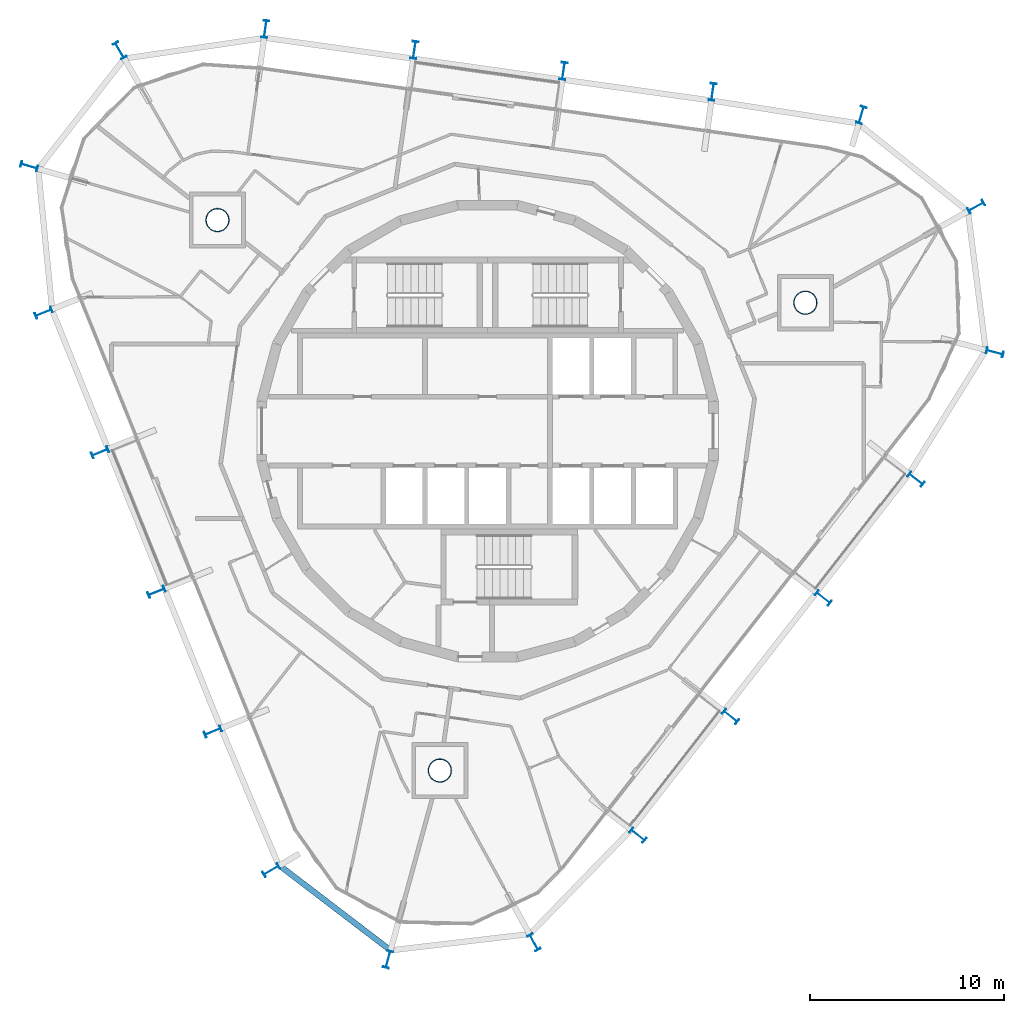
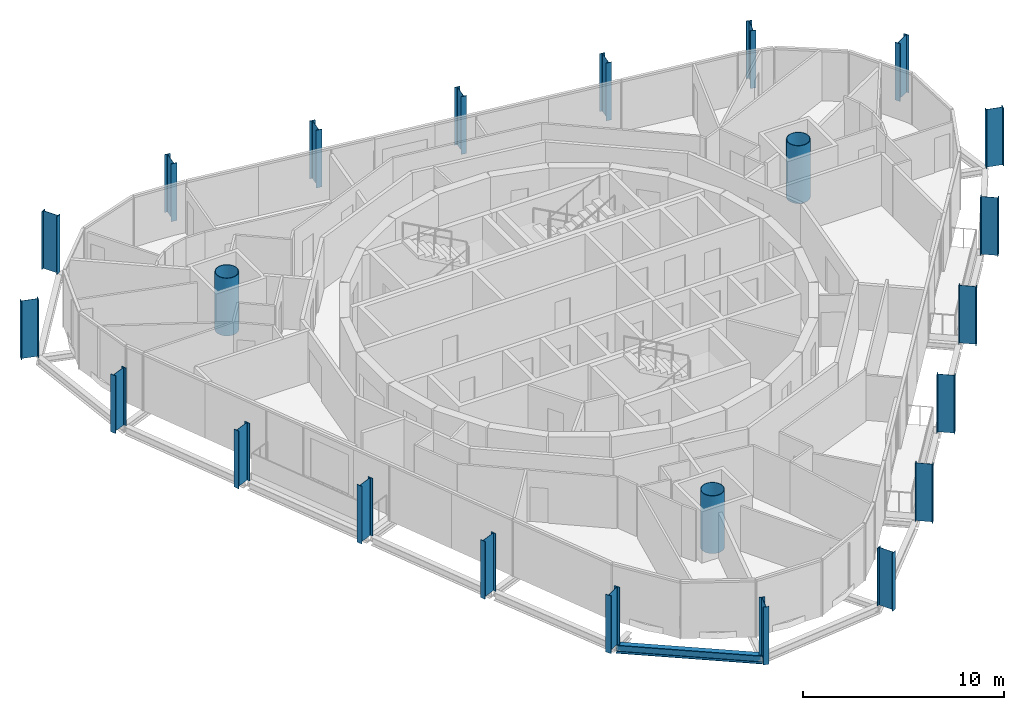
# One storey, part 1 of 15: 23 columns, 1 beam.
"""IFC4 building model written with IfcOpenShell, lengths in metres."""

from ifc_helpers import new_model, si_unit, direction, frame, origin, origin_2d, place, context, subcontext, project, spatial, hollow_circle, i_section, extrude, material, material_profile, profile_set, type_object, element, save


model = new_model("IFC4")

# Units and contexts
model_context = context("Model", 3, precision=1e-05, world=origin(), true_north=direction((0.0, 1.0)))
body_context = subcontext(model_context, "Body", "Model", "MODEL_VIEW")
ifc_project = project(units=[si_unit("LENGTHUNIT", "METRE"), si_unit("AREAUNIT", "SQUARE_METRE"), si_unit("VOLUMEUNIT", "CUBIC_METRE"), si_unit("PLANEANGLEUNIT", "RADIAN"), si_unit("MASSUNIT", "GRAM", prefix="KILO")], contexts=[model_context])

# Site, building, storey
site_placement = place(None, origin())
site = spatial("IfcSite", under=ifc_project, at=site_placement, CompositionType="ELEMENT")
building_placement = place(site_placement, origin())
building = spatial("IfcBuilding", under=site, at=building_placement, Name="Spindle Arch Residences", CompositionType="ELEMENT")
storey_placement = place(building_placement, frame((0.0, 0.0, 340.0)))
storey = spatial("IfcBuildingStorey", under=building, at=storey_placement, Name="L87", CompositionType="ELEMENT", Elevation=340.0)

# Columns
ifc_material_1 = material(Name="Steel S460ML, intumescent coating R 240", Category="steel")
ifc_material_profile_1 = material_profile(ifc_material_1, i_section(OverallWidth=0.300048828125, OverallDepth=0.89990234375, WebThickness=0.0185546875, FlangeThickness=0.034912109375, FilletRadius=0.030029296875, at=origin_2d()), Name="HEB 900")
ifc_profile_set_1 = profile_set([ifc_material_profile_1], Name="Steel S460ML, intumescent coating R 240")
column_type_1 = type_object("IfcColumnType", Name="Exoskeleton post HEB 900", PredefinedType="COLUMN", material=ifc_profile_set_1)
for number, where, z_axis, x_axis, name in (
    (1, (17.314208984375, -8.60009765625, -0.3798828125), (0.0, 0.0, 1.0), (-0.615661060634, -0.788011077599, 0.0), "Exoskeleton post 1"),
    (2, (22.09521484375, -2.480712890625, -0.3798828125), (0.0, 0.0, 1.0), (-0.615661060634, -0.788011077599, 0.0), "Exoskeleton post 2"),
    (3, (26.15869140625, 4.05712890625, -0.3798828125), (0.0, 0.0, 1.0), (-0.253940928912, -0.967219729236, 0.0), "Exoskeleton post 3"),
    (4, (25.19384765625, 11.571044921875, -0.3798828125), (0.0, 0.0, 1.0), (0.490023975195, -0.871708955865, 0.0), "Exoskeleton post 4"),
    (5, (19.27587890625, 16.30078125, -0.3798828125), (0.0, 0.0, 1.0), (0.958298489612, -0.285769146005, 0.0), "Exoskeleton post 5"),
    (6, (11.607421875, 17.4931640625, -0.3798828125), (0.0, 0.0, 1.0), (0.990268081324, -0.139173011432, 0.0), "Exoskeleton post 6"),
    (7, (3.91748046875, 18.573974609375, -0.3798828125), (0.0, 0.0, 1.0), (0.990268081324, -0.139173011432, 0.0), "Exoskeleton post 7"),
    (8, (-3.772705078125, 19.65478515625, -0.3798828125), (0.0, 0.0, 1.0), (0.990268081324, -0.139173011432, 0.0), "Exoskeleton post 8"),
    (9, (-11.462646484375, 20.735595703125, -0.3798828125), (0.0, 0.0, 1.0), (0.990268081324, -0.139173011432, 0.0), "Exoskeleton post 9"),
    (10, (-18.9755859375, 19.632080078125, -0.3798828125), (0.0, 0.0, 1.0), (0.866256848037, 0.499598912358, 0.0), "Exoskeleton post 10"),
    (11, (-23.6396484375, 13.662353515625, -0.3798828125), (0.0, 0.0, 1.0), (0.275193000466, 0.96138900165, 0.0), "Exoskeleton post 11"),
    (12, (-22.892578125, 6.105712890625, -0.3798828125), (0.0, 0.0, 1.0), (-0.374606892434, 0.927183733755, 0.0), "Exoskeleton post 12"),
    (13, (-19.983642578125, -1.094482421875, -0.3798828125), (0.0, 0.0, 1.0), (-0.374606892434, 0.927183733755, 0.0), "Exoskeleton post 13"),
    (14, (-17.07470703125, -8.29443359375, -0.3798828125), (0.0, 0.0, 1.0), (-0.374606892434, 0.927183733755, 0.0), "Exoskeleton post 14"),
    (15, (-14.16552734375, -15.49462890625, -0.3798828125), (0.0, 0.0, 1.0), (-0.374606892434, 0.927183733755, 0.0), "Exoskeleton post 15"),
    (16, (-11.1533203125, -22.64697265625, -0.3798828125), (0.0, 0.0, 1.0), (-0.509114042361, 0.86069907161, 0.0), "Exoskeleton post 16"),
    (17, (-5.13232421875, -27.244873046875, -0.3798828125), (0.0, 0.0, 1.0), (-0.964362923017, 0.264582978873, 0.0), "Exoskeleton post 17"),
    (18, (2.391845703125, -26.363037109375, -0.3798828125), (0.0, 0.0, 1.0), (-0.877055410309, -0.480389224741, 0.0), "Exoskeleton post 18"),
    (19, (7.752197265625, -20.838623046875, -0.3798828125), (0.0, 0.0, 1.0), (-0.615661060634, -0.788011077599, 0.0), "Exoskeleton post 19"),
    (20, (12.533203125, -14.71923828125, -0.3798828125), (0.0, 0.0, 1.0), (-0.615661060634, -0.788011077599, 0.0), "Exoskeleton post 20"),
):
    element("IfcColumn", number, at=place(storey_placement, frame(where, z_axis=z_axis, x_axis=x_axis)), inside=storey, type_object=column_type_1, Name=name, PredefinedType="COLUMN", context=body_context, shape_type="SweptSolid", body=[
        extrude(i_section(OverallWidth=0.300048828125, OverallDepth=0.89990234375, WebThickness=0.0185546875, FlangeThickness=0.034912109375, FilletRadius=0.030029296875, at=origin_2d()), origin(), (0.0, 0.0, 1.0), 3.5),
    ])
ifc_material_2 = material(Name="Concrete C50/60 filled steel tube S460ML, intumescent coating R 240", Category="concrete")
ifc_material_profile_2 = material_profile(ifc_material_2, hollow_circle(Radius=0.60009765625, WallThickness=0.030029296875, at=origin_2d()), Name="CFT D1200x30")
ifc_profile_set_2 = profile_set([ifc_material_profile_2], Name="Concrete C50/60 filled steel tube S460ML, intumescent coating R 240")
column_type_2 = type_object("IfcColumnType", Name="Mega-column CFT D1200x30", PredefinedType="COLUMN", material=ifc_profile_set_2)
for number, where, z_axis, x_axis, name in (
    (21, (16.3896484375, 6.621826171875, -0.3798828125), (0.0, 0.0, 1.0), (1.0, 0.0, 0.0), "Mega-column 1"),
    (22, (-13.929443359375, 10.883056640625, -0.3798828125), (0.0, 0.0, 1.0), (1.0, 0.0, 0.0), "Mega-column 2"),
    (23, (-2.460205078125, -17.5048828125, -0.3798828125), (0.0, 0.0, 1.0), (1.0, 0.0, 0.0), "Mega-column 3"),
):
    element("IfcColumn", number, at=place(storey_placement, frame(where, z_axis=z_axis, x_axis=x_axis)), inside=storey, type_object=column_type_2, Name=name, PredefinedType="COLUMN", context=body_context, shape_type="SweptSolid", body=[
        extrude(hollow_circle(Radius=0.60009765625, WallThickness=0.030029296875, at=origin_2d()), origin(), (0.0, 0.0, 1.0), 3.5),
    ])

# Beam
ifc_material_3 = material(Name="Steel S460ML, intumescent coating R 120", Category="steel")
ifc_material_profile_3 = material_profile(ifc_material_3, i_section(OverallWidth=0.300048828125, OverallDepth=0.5, WebThickness=0.014404296875, FlangeThickness=0.028076171875, FilletRadius=0.027099609375, at=origin_2d()), Name="HEB 500")
ifc_profile_set_3 = profile_set([ifc_material_profile_3], Name="Steel S460ML, intumescent coating R 120")
beam_type = type_object("IfcBeamType", Name="Exoskeleton edge beam HEB 500", PredefinedType="BEAM", material=ifc_profile_set_3)
beam_placement = place(storey_placement, frame((-10.77685546875, -22.3681640625, -0.6298828125), z_axis=(0.794751716533, -0.606934682703, 0.0), x_axis=(0.606934682703, 0.794751716533, 0.0)))
element("IfcBeam", 24, at=beam_placement, inside=storey, type_object=beam_type, Name="Exoskeleton edge beam 16", PredefinedType="BEAM", context=body_context, shape_type="SweptSolid", body=[
    extrude(i_section(OverallWidth=0.300048828125, OverallDepth=0.5, WebThickness=0.014404296875, FlangeThickness=0.028076171875, FilletRadius=0.027099609375, at=origin_2d()), origin(), (0.0, 0.0, 1.0), 7.315673828125),
])

save(model, "model.ifc")
